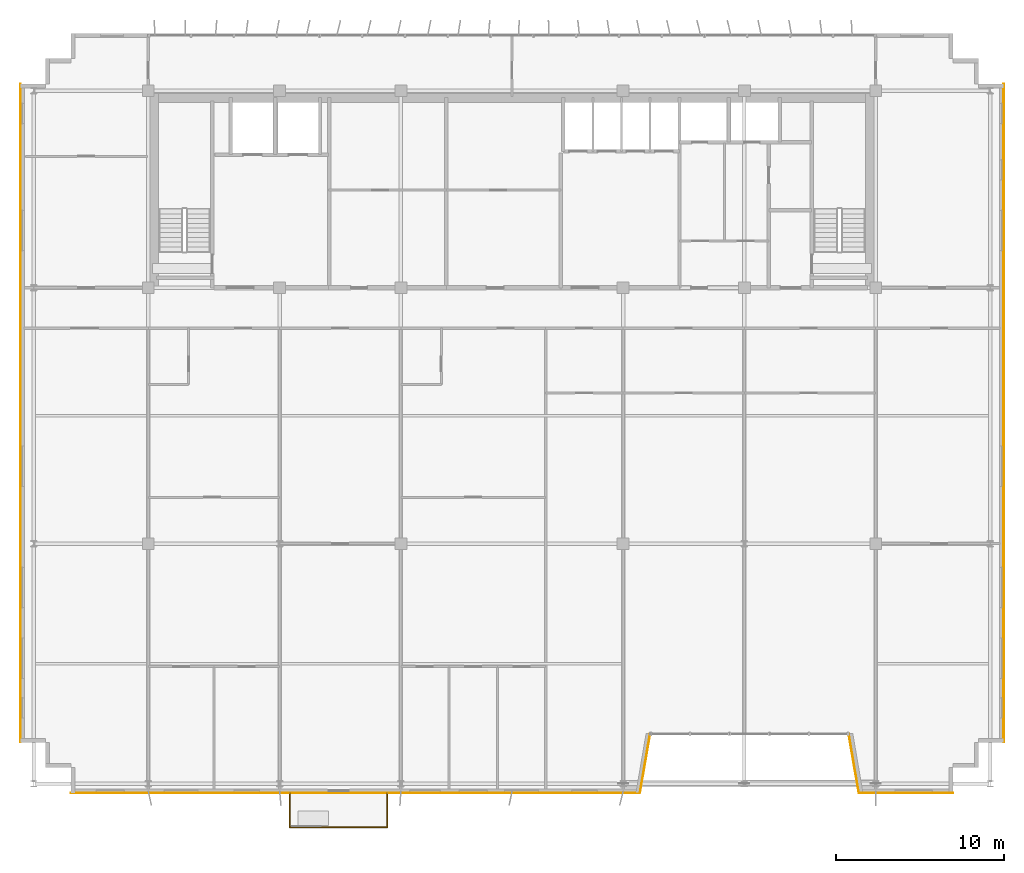
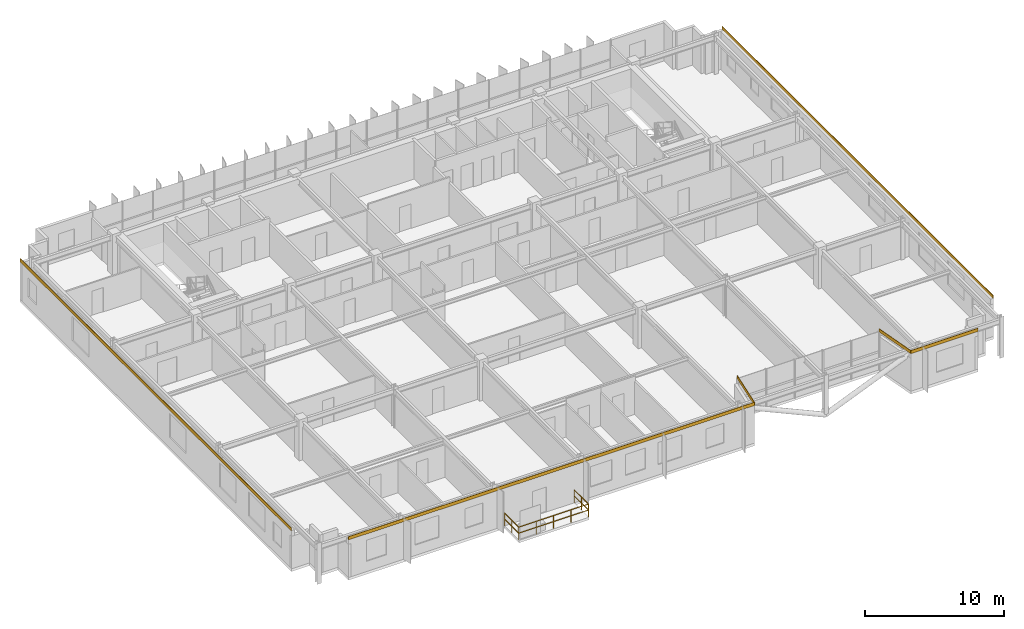
# One storey, part 26 of 27: 6 coverings, 3 railings.
"""IFC4 building model written with IfcOpenShell, lengths in metres."""

from ifc_helpers import new_model, si_unit, direction, frame, origin, origin_2d, place, context, subcontext, project, spatial, rectangle, extrude, source, transform, mapped, material, layer, layer_set, type_object, element, save


model = new_model("IFC4")

# Units and contexts
model_context = context("Model", 3, precision=1e-05, world=origin(), true_north=direction((0.0, 1.0)))
body_context = subcontext(model_context, "Body", "Model", "MODEL_VIEW")
ifc_project = project(units=[si_unit("LENGTHUNIT", "METRE"), si_unit("AREAUNIT", "SQUARE_METRE"), si_unit("VOLUMEUNIT", "CUBIC_METRE"), si_unit("PLANEANGLEUNIT", "RADIAN"), si_unit("MASSUNIT", "GRAM", prefix="KILO")], contexts=[model_context])

# Site, building, storey
site_placement = place(None, origin())
site = spatial("IfcSite", under=ifc_project, at=site_placement, CompositionType="ELEMENT")
building_placement = place(site_placement, origin())
building = spatial("IfcBuilding", under=site, at=building_placement, Name="Trelvane Seafront Commons", CompositionType="ELEMENT")
storey_placement = place(building_placement, frame((0.0, 0.0, 233.699951171875)))
storey = spatial("IfcBuildingStorey", under=building, at=storey_placement, Name="L61", CompositionType="ELEMENT", Elevation=233.699951171875)

# Railings
ifc_material_1 = material(Name="Stainless steel balustrade", Category="steel")
railing_type = type_object("IfcRailingType", Name="ARCH-RAIL-BAL1150", PredefinedType="BALUSTRADE", material=ifc_material_1)
railing_1_placement = place(storey_placement, frame((24.0, 3.39990234375, 0.0)))
element("IfcRailing", 1, at=railing_1_placement, inside=storey, type_object=railing_type, Name="RL-L61-BAL0-01", PredefinedType="BALUSTRADE", context=body_context, shape_type="SweptSolid", body=[
    extrude(rectangle(XDim=0.048095703125, YDim=0.048095703125, at=origin_2d()), frame((0.0, 0.0, 1.1259765625), z_axis=(0.0, -1.0, 0.0), x_axis=(1.0, 0.0, 0.0)), (0.0, 0.0, 1.0), 2.039794921875),
    extrude(rectangle(XDim=0.048095703125, YDim=0.048095703125, at=origin_2d()), frame((0.0, 0.0, 0.597900390625), z_axis=(0.0, -1.0, 0.0), x_axis=(1.0, 0.0, 0.0)), (0.0, 0.0, 1.0), 2.039794921875),
    extrude(rectangle(XDim=0.0419921875, YDim=0.0419921875, at=origin_2d()), origin(), (0.0, 0.0, 1.0), 1.1259765625),
    extrude(rectangle(XDim=0.0419921875, YDim=0.0419921875, at=origin_2d()), frame((0.0, -1.02001953125, 0.0)), (0.0, 0.0, 1.0), 1.1259765625),
    extrude(rectangle(XDim=0.0419921875, YDim=0.0419921875, at=origin_2d()), frame((0.0, -2.039794921875, 0.0)), (0.0, 0.0, 1.0), 1.1259765625),
])
railing_2_placement = place(storey_placement, frame((24.0, 1.360107421875, 0.0)))
element("IfcRailing", 2, at=railing_2_placement, inside=storey, type_object=railing_type, Name="RL-L61-BAL0-02", PredefinedType="BALUSTRADE", context=body_context, shape_type="SweptSolid", body=[
    extrude(rectangle(XDim=0.048095703125, YDim=0.048095703125, at=origin_2d()), frame((0.0, 0.0, 1.1259765625), z_axis=(1.0, 0.0, 0.0), x_axis=(0.0, 1.0, 0.0)), (0.0, 0.0, 1.0), 5.800048828125),
    extrude(rectangle(XDim=0.048095703125, YDim=0.048095703125, at=origin_2d()), frame((0.0, 0.0, 0.597900390625), z_axis=(1.0, 0.0, 0.0), x_axis=(0.0, 1.0, 0.0)), (0.0, 0.0, 1.0), 5.800048828125),
    extrude(rectangle(XDim=0.0419921875, YDim=0.0419921875, at=origin_2d()), origin(), (0.0, 0.0, 1.0), 1.1259765625),
    extrude(rectangle(XDim=0.0419921875, YDim=0.0419921875, at=origin_2d()), frame((1.449951171875, 0.0, 0.0)), (0.0, 0.0, 1.0), 1.1259765625),
    extrude(rectangle(XDim=0.0419921875, YDim=0.0419921875, at=origin_2d()), frame((2.89990234375, 0.0, 0.0)), (0.0, 0.0, 1.0), 1.1259765625),
    extrude(rectangle(XDim=0.0419921875, YDim=0.0419921875, at=origin_2d()), frame((4.35009765625, 0.0, 0.0)), (0.0, 0.0, 1.0), 1.1259765625),
    extrude(rectangle(XDim=0.0419921875, YDim=0.0419921875, at=origin_2d()), frame((5.800048828125, 0.0, 0.0)), (0.0, 0.0, 1.0), 1.1259765625),
])
railing_3_placement = place(storey_placement, frame((29.800048828125, 1.360107421875, 0.0)))
element("IfcRailing", 3, at=railing_3_placement, inside=storey, type_object=railing_type, Name="RL-L61-BAL0-03", PredefinedType="BALUSTRADE", context=body_context, shape_type="SweptSolid", body=[
    extrude(rectangle(XDim=0.048095703125, YDim=0.048095703125, at=origin_2d()), frame((0.0, 0.0, 1.1259765625), z_axis=(0.0, 1.0, 0.0), x_axis=(-1.0, 0.0, 0.0)), (0.0, 0.0, 1.0), 2.039794921875),
    extrude(rectangle(XDim=0.048095703125, YDim=0.048095703125, at=origin_2d()), frame((0.0, 0.0, 0.597900390625), z_axis=(0.0, 1.0, 0.0), x_axis=(-1.0, 0.0, 0.0)), (0.0, 0.0, 1.0), 2.039794921875),
    extrude(rectangle(XDim=0.0419921875, YDim=0.0419921875, at=origin_2d()), origin(), (0.0, 0.0, 1.0), 1.1259765625),
    extrude(rectangle(XDim=0.0419921875, YDim=0.0419921875, at=origin_2d()), frame((0.0, 1.02001953125, 0.0)), (0.0, 0.0, 1.0), 1.1259765625),
    extrude(rectangle(XDim=0.0419921875, YDim=0.0419921875, at=origin_2d()), frame((0.0, 2.039794921875, 0.0)), (0.0, 0.0, 1.0), 1.1259765625),
])

# Coverings
ifc_material_2 = material(Name="Anodised pale-silver aluminium", Category="aluminium")
ifc_layer = layer(ifc_material_2, 0.034912109375, Name="ARCH-COV-CLAD35")
ifc_layer_set = layer_set([ifc_layer], Name="Anodised pale-silver aluminium")
covering_type = type_object("IfcCoveringType", Name="ARCH-COV-CLAD35", PredefinedType="CLADDING", material=ifc_layer_set)
shared_shape_1 = source(origin(), body_context, "Body", "SweptSolid", [
    extrude(rectangle(XDim=39.10009765625, YDim=0.034912109375, at=origin_2d()), origin(), (0.0, 0.0, 1.0), 0.280029296875),
])
for number, where, z_axis, x_axis, name in (
    (4, (8.0, 25.949951171875, 3.31982421875), (0.0, 0.0, 1.0), (0.0, 1.0, 0.0), "CLD-L61-00251"),
    (5, (66.39990234375, 25.949951171875, 3.31982421875), (0.0, 0.0, 1.0), (0.0, -1.0, 0.0), "CLD-L61-00252"),
):
    element("IfcCovering", number, at=place(storey_placement, frame(where, z_axis=z_axis, x_axis=x_axis)), inside=storey, type_object=covering_type, Name=name, PredefinedType="CLADDING", context=body_context, shape_type="MappedRepresentation", body=[
        mapped(shared_shape_1, transform((0.0, 0.0, 0.0), x_axis=(1.0, 0.0, 0.0), y_axis=(0.0, 1.0, 0.0), z_axis=(0.0, 0.0, 1.0), scale=1.0)),
    ])
shared_shape_2 = source(origin(), body_context, "Body", "SweptSolid", [
    extrude(rectangle(XDim=5.60009765625, YDim=0.034912109375, at=origin_2d()), origin(), (0.0, 0.0, 1.0), 0.280029296875),
])
covering_1_placement = place(storey_placement, frame((60.60009765625, 3.39990234375, 3.31982421875), z_axis=(0.0, 0.0, 1.0), x_axis=(-1.0, 0.0, 0.0)))
element("IfcCovering", 6, at=covering_1_placement, inside=storey, type_object=covering_type, Name="CLD-L61-00253", PredefinedType="CLADDING", context=body_context, shape_type="MappedRepresentation", body=[
    mapped(shared_shape_2, transform((0.0, 0.0, 0.0), x_axis=(1.0, 0.0, 0.0), y_axis=(0.0, 1.0, 0.0), z_axis=(0.0, 0.0, 1.0), scale=1.0)),
])
shared_shape_3 = source(origin(), body_context, "Body", "SweptSolid", [
    extrude(rectangle(XDim=3.551025390625, YDim=0.034912109375, at=origin_2d()), origin(), (0.0, 0.0, 1.0), 0.280029296875),
])
for number, where, z_axis, x_axis, name in (
    (7, (57.5, 5.14990234375, 3.31982421875), (0.0, 0.0, 1.0), (-0.168964184077, 0.985622191562, 0.0), "CLD-L61-00254"),
    (8, (45.10009765625, 5.14990234375, 3.31982421875), (0.0, 0.0, 1.0), (-0.168964184077, -0.985622191562, 0.0), "CLD-L61-00255"),
):
    element("IfcCovering", number, at=place(storey_placement, frame(where, z_axis=z_axis, x_axis=x_axis)), inside=storey, type_object=covering_type, Name=name, PredefinedType="CLADDING", context=body_context, shape_type="MappedRepresentation", body=[
        mapped(shared_shape_3, transform((0.0, 0.0, 0.0), x_axis=(1.0, 0.0, 0.0), y_axis=(0.0, 1.0, 0.0), z_axis=(0.0, 0.0, 1.0), scale=1.0)),
    ])
shared_shape_4 = source(origin(), body_context, "Body", "SweptSolid", [
    extrude(rectangle(XDim=33.800048828125, YDim=0.034912109375, at=origin_2d()), origin(), (0.0, 0.0, 1.0), 0.280029296875),
])
covering_2_placement = place(storey_placement, frame((27.89990234375, 3.39990234375, 3.31982421875), z_axis=(0.0, 0.0, 1.0), x_axis=(-1.0, 0.0, 0.0)))
element("IfcCovering", 9, at=covering_2_placement, inside=storey, type_object=covering_type, Name="CLD-L61-00256", PredefinedType="CLADDING", context=body_context, shape_type="MappedRepresentation", body=[
    mapped(shared_shape_4, transform((0.0, 0.0, 0.0), x_axis=(1.0, 0.0, 0.0), y_axis=(0.0, 1.0, 0.0), z_axis=(0.0, 0.0, 1.0), scale=1.0)),
])

save(model, "model.ifc")
